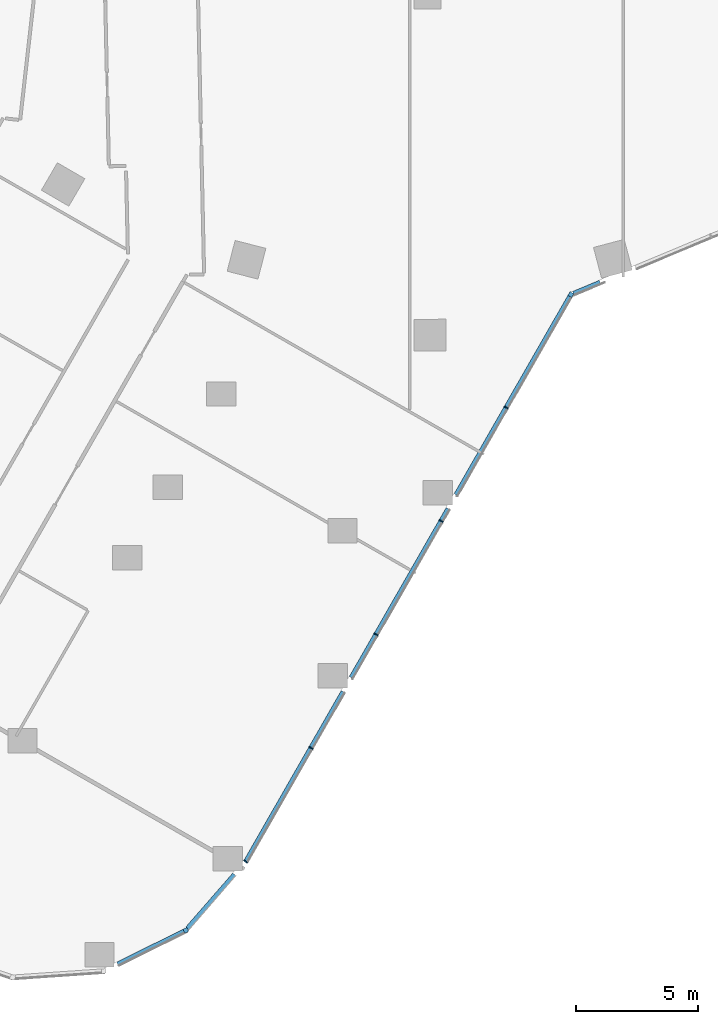
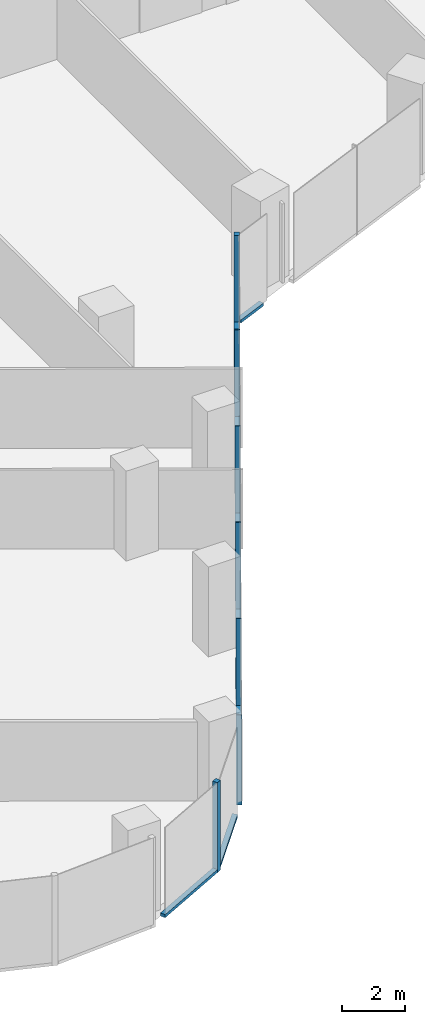
# One storey, part 5 of 34: 13 members, 4 elements without a shape of their own.
"""IFC4 building model written with IfcOpenShell, lengths in metres."""

from ifc_helpers import new_model, si_unit, direction, frame, origin, origin_2d, place, context, subcontext, project, spatial, rectangle, extrude, material, material_profile, profile_set, type_object, element, aggregate, save


model = new_model("IFC4")

# Units and contexts
model_context = context("Model", 3, precision=1e-05, world=origin(), true_north=direction((0.0, 1.0)))
body_context = subcontext(model_context, "Body", "Model", "MODEL_VIEW")
ifc_project = project(units=[si_unit("LENGTHUNIT", "METRE"), si_unit("AREAUNIT", "SQUARE_METRE"), si_unit("VOLUMEUNIT", "CUBIC_METRE"), si_unit("PLANEANGLEUNIT", "RADIAN"), si_unit("MASSUNIT", "GRAM", prefix="KILO")], contexts=[model_context])

# Site, building, storey
site_placement = place(None, origin())
site = spatial("IfcSite", under=ifc_project, at=site_placement, CompositionType="ELEMENT")
building_placement = place(site_placement, origin())
building = spatial("IfcBuilding", under=site, at=building_placement, Name="Orlundy Tower", CompositionType="ELEMENT")
storey_placement = place(building_placement, frame((0.0, 0.0, 105.699951171875)))
storey = spatial("IfcBuildingStorey", under=building, at=storey_placement, Name="L26", CompositionType="ELEMENT", Elevation=105.699951171875)

# Curtain wall, member
ifc_material_1 = material(Name="Aluminium bronze anodised", Category="aluminium")
curtain_wall_type = type_object("IfcCurtainWallType", Name="CW1 wall", PredefinedType="NOTDEFINED", material=ifc_material_1)
curtain_wall_1_placement = place(storey_placement, origin())
curtain_wall_1 = element("IfcCurtainWall", 1, at=curtain_wall_1_placement, inside=storey, type_object=curtain_wall_type, Name="CW1 run 02", PredefinedType="NOTDEFINED")
ifc_material_2 = material(Name="Aluminium bronze anodised", Category="aluminium")
ifc_material_profile_1 = material_profile(ifc_material_2, rectangle(XDim=0.179931640625, YDim=0.179931640625, at=origin_2d()), Name="CW1 corner post 180x180")
ifc_profile_set_1 = profile_set([ifc_material_profile_1], Name="Aluminium bronze anodised")
member_type_1 = type_object("IfcMemberType", Name="CW1 corner post 180x180", PredefinedType="MULLION", material=ifc_profile_set_1)
member_1_placement = place(storey_placement, frame((5.86279296875, -30.16015625, -0.39990234375), z_axis=(0.0, 0.0, 1.0), x_axis=(0.867479299789, -0.497473280125, 0.0)))
member_1 = element("IfcMember", 2, at=member_1_placement, type_object=member_type_1, Name="CW1 mullion 9", PredefinedType="MULLION", context=body_context, shape_type="SweptSolid", body=[
    extrude(rectangle(XDim=0.179931640625, YDim=0.179931640625, at=origin_2d()), origin(), (0.0, 0.0, 1.0), 3.5),
])

curtain_wall_2_placement = place(storey_placement, origin())
curtain_wall_2 = element("IfcCurtainWall", 3, at=curtain_wall_2_placement, inside=storey, type_object=curtain_wall_type, Name="CW1 run 04", PredefinedType="NOTDEFINED")
member_2_placement = place(storey_placement, frame((-9.90380859375, -56.189697265625, -0.39990234375), z_axis=(0.0, 0.0, 1.0), x_axis=(0.444838111689, -0.895610995013, 0.0)))
member_2 = element("IfcMember", 4, at=member_2_placement, type_object=member_type_1, Name="CW1 mullion 15", PredefinedType="MULLION", context=body_context, shape_type="SweptSolid", body=[
    extrude(rectangle(XDim=0.179931640625, YDim=0.179931640625, at=origin_2d()), origin(), (0.0, 0.0, 1.0), 3.5),
])

# Member
ifc_material_3 = material(Name="Aluminium bronze anodised", Category="aluminium")
ifc_material_profile_2 = material_profile(ifc_material_3, rectangle(XDim=0.179931640625, YDim=0.050048828125, at=origin_2d()), Name="CW1 mullion 50x180")
ifc_profile_set_2 = profile_set([ifc_material_profile_2], Name="Aluminium bronze anodised")
member_type_2 = type_object("IfcMemberType", Name="CW1 mullion 50x180", PredefinedType="MULLION", material=ifc_profile_set_2)
member_3_placement = place(storey_placement, frame((3.21337890625, -34.780517578125, -0.39990234375), z_axis=(0.0, 0.0, 1.0), x_axis=(0.867479299789, -0.497473280125, 0.0)))
member_3 = element("IfcMember", 5, at=member_3_placement, type_object=member_type_2, Name="CW1 mullion 10", PredefinedType="MULLION", context=body_context, shape_type="SweptSolid", body=[
    extrude(rectangle(XDim=0.179931640625, YDim=0.050048828125, at=origin_2d()), origin(), (0.0, 0.0, 1.0), 3.5),
])

member_4_placement = place(storey_placement, frame((0.548583984375, -39.427490234375, -0.39990234375), z_axis=(0.0, 0.0, 1.0), x_axis=(0.867479299789, -0.497473280125, 0.0)))
member_4 = element("IfcMember", 6, at=member_4_placement, type_object=member_type_2, Name="CW1 mullion 11", PredefinedType="MULLION", context=body_context, shape_type="SweptSolid", body=[
    extrude(rectangle(XDim=0.179931640625, YDim=0.050048828125, at=origin_2d()), origin(), (0.0, 0.0, 1.0), 3.5),
])

member_5_placement = place(storey_placement, frame((-2.1162109375, -44.07421875, -0.39990234375), z_axis=(0.0, 0.0, 1.0), x_axis=(0.867479299789, -0.497473280125, 0.0)))
member_5 = element("IfcMember", 7, at=member_5_placement, type_object=member_type_2, Name="CW1 mullion 12", PredefinedType="MULLION", context=body_context, shape_type="SweptSolid", body=[
    extrude(rectangle(XDim=0.179931640625, YDim=0.050048828125, at=origin_2d()), origin(), (0.0, 0.0, 1.0), 3.5),
])

member_6_placement = place(storey_placement, frame((-4.781005859375, -48.720947265625, -0.39990234375), z_axis=(0.0, 0.0, 1.0), x_axis=(0.867479299789, -0.497473280125, 0.0)))
member_6 = element("IfcMember", 8, at=member_6_placement, type_object=member_type_2, Name="CW1 mullion 13", PredefinedType="MULLION", context=body_context, shape_type="SweptSolid", body=[
    extrude(rectangle(XDim=0.179931640625, YDim=0.050048828125, at=origin_2d()), origin(), (0.0, 0.0, 1.0), 3.5),
])

# Curtain wall, member
curtain_wall_3_placement = place(storey_placement, origin())
curtain_wall_3 = element("IfcCurtainWall", 9, at=curtain_wall_3_placement, inside=storey, type_object=curtain_wall_type, Name="CW1 run 03", PredefinedType="NOTDEFINED")
member_7_placement = place(storey_placement, frame((-7.450439453125, -53.37548828125, -0.39990234375), z_axis=(0.0, 0.0, 1.0), x_axis=(0.814535332727, -0.580113947202, 0.0)))
member_7 = element("IfcMember", 10, at=member_7_placement, type_object=member_type_2, Name="CW1 mullion 14", PredefinedType="MULLION", context=body_context, shape_type="SweptSolid", body=[
    extrude(rectangle(XDim=0.179931640625, YDim=0.050048828125, at=origin_2d()), origin(), (0.0, 0.0, 1.0), 3.5),
])

curtain_wall_4_placement = place(storey_placement, origin())
curtain_wall_4 = element("IfcCurtainWall", 11, at=curtain_wall_4_placement, inside=storey, type_object=curtain_wall_type, Name="CW1 run 01", PredefinedType="NOTDEFINED")
ifc_material_4 = material(Name="Aluminium bronze anodised", Category="aluminium")
ifc_material_profile_3 = material_profile(ifc_material_4, rectangle(XDim=0.179931640625, YDim=0.1201171875, at=origin_2d()), Name="CW1 transom 180x120")
ifc_profile_set_3 = profile_set([ifc_material_profile_3], Name="Aluminium bronze anodised")
member_type_3 = type_object("IfcMemberType", Name="CW1 transom 180x120", PredefinedType="USERDEFINED", material=ifc_profile_set_3)
member_8_placement = place(storey_placement, frame((7.062255859375, -29.659423828125, -0.33984375), z_axis=(-0.922808793356, -0.385258265201, 0.0), x_axis=(0.385258265201, -0.922808793356, 0.0)))
member_8 = element("IfcMember", 12, at=member_8_placement, type_object=member_type_3, Name="CW1 transom", ObjectType="TRANSOM", PredefinedType="USERDEFINED", context=body_context, shape_type="SweptSolid", body=[
    extrude(rectangle(XDim=0.179931640625, YDim=0.1201171875, at=origin_2d()), origin(), (0.0, 0.0, 1.0), 1.186279296875),
])
aggregate(curtain_wall_4, [member_8])

# Member
member_9_placement = place(storey_placement, frame((5.818115234375, -30.23828125, -0.33984375), z_axis=(-0.497467087282, -0.867482851169, 0.0), x_axis=(0.867482851169, -0.497467087282, 0.0)))
member_9 = element("IfcMember", 13, at=member_9_placement, type_object=member_type_3, Name="CW1 transom", ObjectType="TRANSOM", PredefinedType="USERDEFINED", context=body_context, shape_type="SweptSolid", body=[
    extrude(rectangle(XDim=0.179931640625, YDim=0.1201171875, at=origin_2d()), origin(), (0.0, 0.0, 1.0), 9.359375),
])

member_10_placement = place(storey_placement, frame((0.8349609375, -38.927978515625, -0.33984375), z_axis=(-0.497493149582, -0.86746790495, 0.0), x_axis=(0.86746790495, -0.497493149582, 0.0)))
member_10 = element("IfcMember", 14, at=member_10_placement, type_object=member_type_3, Name="CW1 transom", ObjectType="TRANSOM", PredefinedType="USERDEFINED", context=body_context, shape_type="SweptSolid", body=[
    extrude(rectangle(XDim=0.179931640625, YDim=0.1201171875, at=origin_2d()), origin(), (0.0, 0.0, 1.0), 7.97607421875),
])

member_11_placement = place(storey_placement, frame((-3.4599609375, -46.4169921875, -0.33984375), z_axis=(-0.497452550995, -0.867491186992, 0.0), x_axis=(0.867491186992, -0.497452550995, 0.0)))
member_11 = element("IfcMember", 15, at=member_11_placement, type_object=member_type_3, Name="CW1 transom", ObjectType="TRANSOM", PredefinedType="USERDEFINED", context=body_context, shape_type="SweptSolid", body=[
    extrude(rectangle(XDim=0.179931640625, YDim=0.1201171875, at=origin_2d()), origin(), (0.0, 0.0, 1.0), 7.982666015625),
])

aggregate(curtain_wall_1, [member_1, member_3, member_4, member_5, member_6, member_9, member_10, member_11])

member_12_placement = place(storey_placement, frame((-7.9111328125, -53.904052734375, -0.33984375), z_axis=(-0.657166709107, -0.753745259648, 0.0), x_axis=(0.753745259648, -0.657166709107, 0.0)))
member_12 = element("IfcMember", 16, at=member_12_placement, type_object=member_type_3, Name="CW1 transom", ObjectType="TRANSOM", PredefinedType="USERDEFINED", context=body_context, shape_type="SweptSolid", body=[
    extrude(rectangle(XDim=0.179931640625, YDim=0.1201171875, at=origin_2d()), origin(), (0.0, 0.0, 1.0), 2.934814453125),
])

aggregate(curtain_wall_3, [member_7, member_12])

member_13_placement = place(storey_placement, frame((-9.984619140625, -56.229736328125, -0.33984375), z_axis=(-0.895605373213, -0.444849430113, 0.0), x_axis=(0.444849430113, -0.895605373213, 0.0)))
member_13 = element("IfcMember", 17, at=member_13_placement, type_object=member_type_3, Name="CW1 transom", ObjectType="TRANSOM", PredefinedType="USERDEFINED", context=body_context, shape_type="SweptSolid", body=[
    extrude(rectangle(XDim=0.179931640625, YDim=0.1201171875, at=origin_2d()), origin(), (0.0, 0.0, 1.0), 3.017333984375),
])

aggregate(curtain_wall_2, [member_2, member_13])

save(model, "model.ifc")
